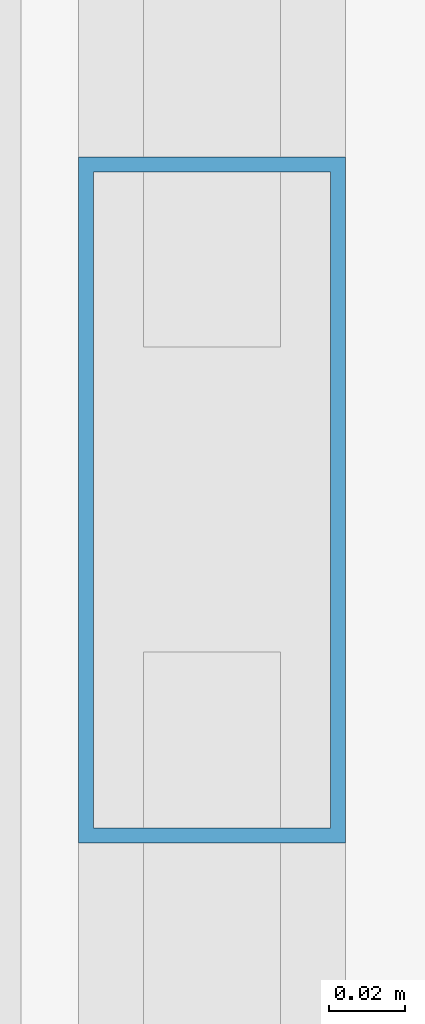
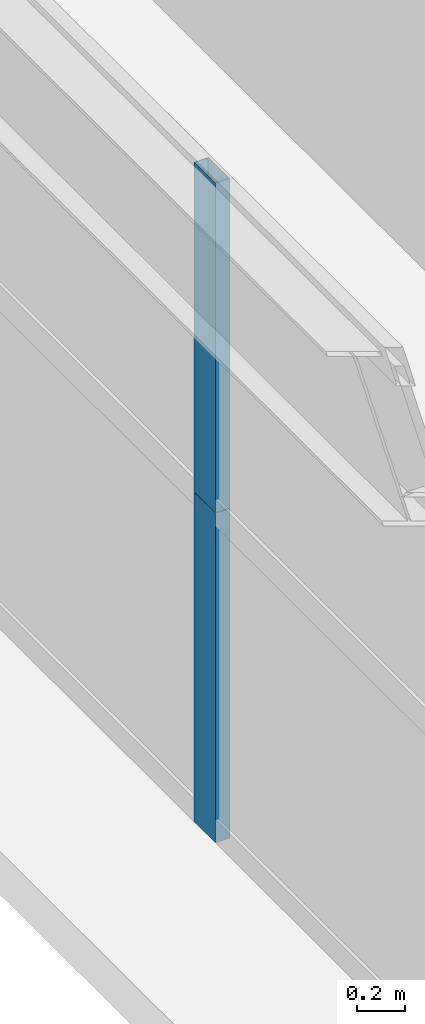
# One storey, part 20 of 37: 2 members, 1 element without a shape of its own.
"""IFC4 building model written with IfcOpenShell, lengths in metres."""

from ifc_helpers import new_model, si_unit, direction, frame, origin, origin_2d, place, context, subcontext, project, spatial, hollow_rectangle, extrude, source, transform, mapped, material, layer, layer_set, material_profile, profile_set, type_object, element, aggregate, save


model = new_model("IFC4")

# Units and contexts
model_context = context("Model", 3, precision=1e-05, world=origin(), true_north=direction((0.0, 1.0)))
body_context = subcontext(model_context, "Body", "Model", "MODEL_VIEW")
ifc_project = project(units=[si_unit("LENGTHUNIT", "METRE"), si_unit("AREAUNIT", "SQUARE_METRE"), si_unit("VOLUMEUNIT", "CUBIC_METRE"), si_unit("PLANEANGLEUNIT", "RADIAN"), si_unit("MASSUNIT", "GRAM", prefix="KILO"), si_unit("THERMODYNAMICTEMPERATUREUNIT", "KELVIN"), si_unit("POWERUNIT", "WATT")], contexts=[model_context])

# Site, building, storey
site_placement = place(None, origin())
site = spatial("IfcSite", under=ifc_project, at=site_placement, CompositionType="ELEMENT")
building_placement = place(site_placement, origin())
building = spatial("IfcBuilding", under=site, at=building_placement, Name="Yuzanri Waterfront Tower", CompositionType="ELEMENT")
storey_placement = place(building_placement, frame((0.0, 0.0, 104.60009765625)))
storey = spatial("IfcBuildingStorey", under=building, at=storey_placement, Name="L27", CompositionType="ELEMENT", Elevation=104.60009765625)

# Curtain wall, members
ifc_material_1 = material(Name="Anodized Architectural Bronze", Category="metal")
ifc_layer = layer(ifc_material_1, 0.159912109375)
ifc_layer_set = layer_set([ifc_layer], Name="Anodized Architectural Bronze")
curtain_wall_type = type_object("IfcCurtainWallType", Name="Anodized Bronze Hotel Upper-Tier Solar-Control Unitized Curtain Wall 7800", PredefinedType="NOTDEFINED", material=ifc_layer_set)
curtain_wall_placement = place(storey_placement, origin())
curtain_wall = element("IfcCurtainWall", 1, at=curtain_wall_placement, inside=storey, type_object=curtain_wall_type, Name="L27 Curtain Wall CW-L27-WR", PredefinedType="NOTDEFINED")
ifc_material_2 = material(Name="Anodized Architectural Bronze", Category="metal")
ifc_material_profile = material_profile(ifc_material_2, hollow_rectangle(XDim=0.070068359375, YDim=0.179931640625, WallThickness=0.00390625, at=origin_2d()), Name="CWM 70x180")
ifc_profile_set = profile_set([ifc_material_profile], Name="Anodized Architectural Bronze")
member_type = type_object("IfcMemberType", Name="Anodized Bronze Standard Curtain-Wall Mullion 70x180", PredefinedType="MULLION", material=ifc_profile_set)
shared_shape = source(origin(), body_context, "Body", "SweptSolid", [
    extrude(hollow_rectangle(XDim=0.070068359375, YDim=0.179931640625, WallThickness=0.00390625, at=origin_2d()), origin(), (0.0, 0.0, 1.0), 1.68798828125),
])
member_1_placement = place(storey_placement, frame((13.550048828125, 34.14990234375, 0.0), z_axis=(0.0, 0.0, 1.0), x_axis=(1.0, 0.0, 0.0)))
member_1 = element("IfcMember", 2, at=member_1_placement, type_object=member_type, Name="CW-L27-WR Lower Mullion 01", PredefinedType="MULLION", context=body_context, shape_type="MappedRepresentation", body=[
    mapped(shared_shape, transform((0.0, 0.0, 0.0), scale=1.0)),
])
member_2_placement = place(storey_placement, frame((13.550048828125, 34.14990234375, 1.69189453125), z_axis=(0.0, 0.0, 1.0), x_axis=(1.0, 0.0, 0.0)))
member_2 = element("IfcMember", 3, at=member_2_placement, type_object=member_type, Name="CW-L27-WR Upper Mullion 01", PredefinedType="MULLION", context=body_context, shape_type="MappedRepresentation", body=[
    mapped(shared_shape, transform((0.0, 0.0, 0.0), scale=1.0)),
])
aggregate(curtain_wall, [member_1, member_2])

save(model, "model.ifc")
